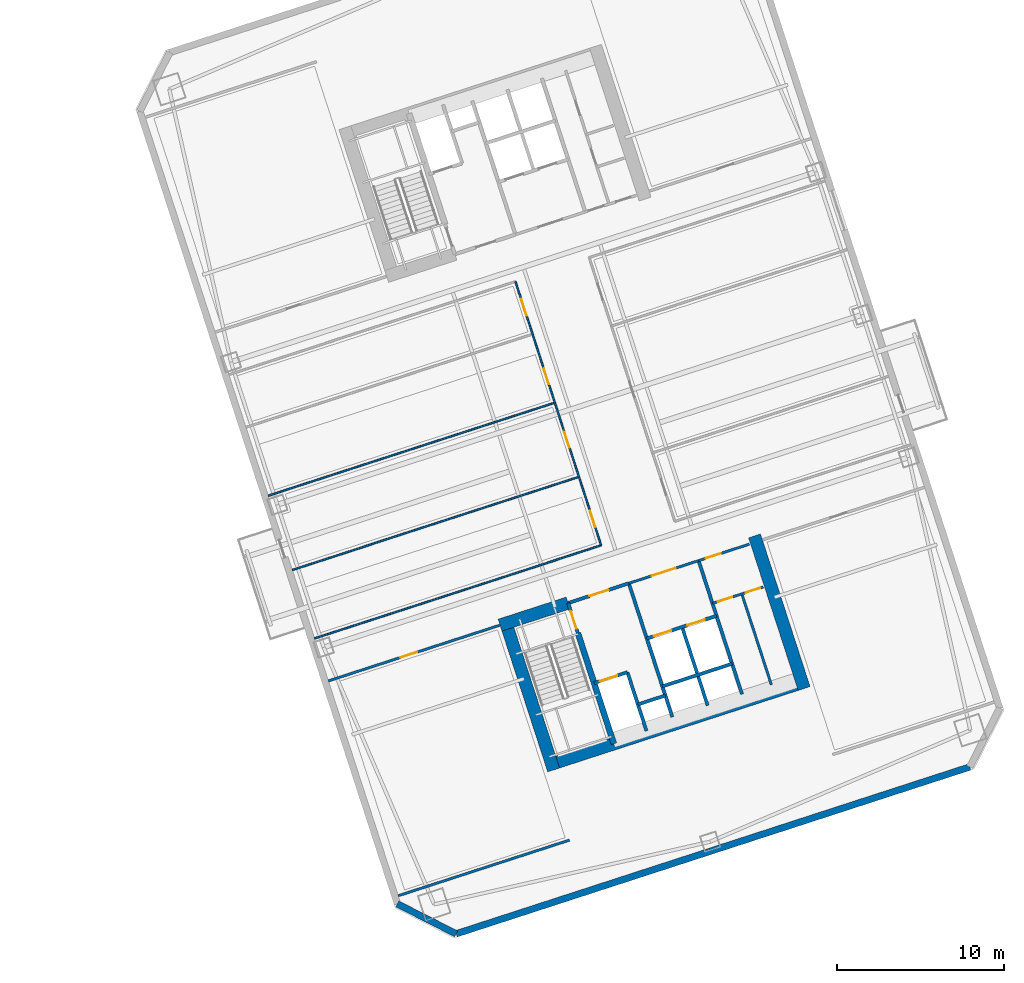
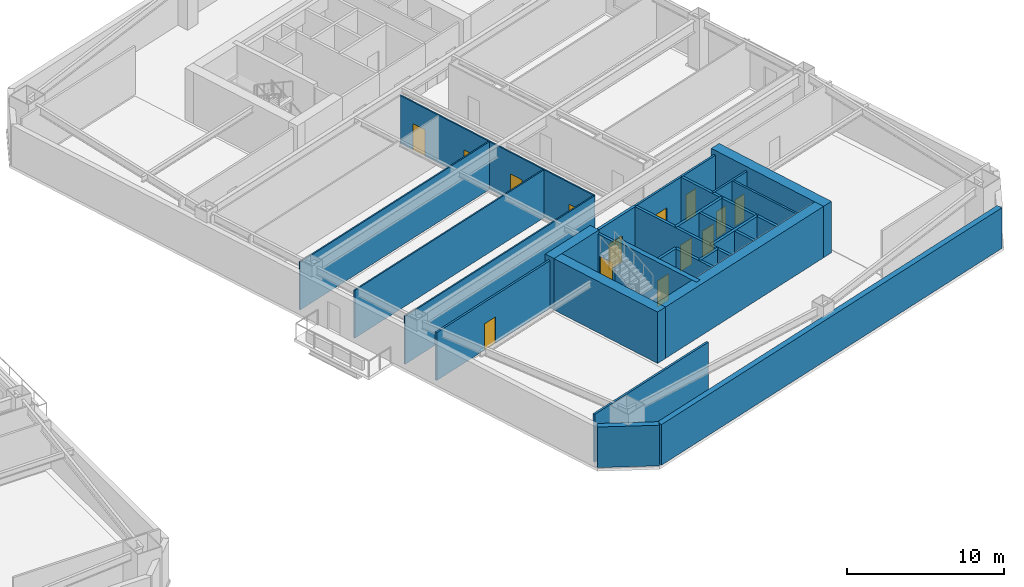
# One storey, part 7 of 18: 27 walls, 14 doors, 14 openings.
"""IFC4 building model written with IfcOpenShell, lengths in metres."""

from ifc_helpers import new_model, si_unit, direction, frame, frame_2d, origin, place, context, subcontext, project, spatial, rectangle, extrude, material, layer, layer_set, type_object, element, fill, save


model = new_model("IFC4")

# Units and contexts
model_context = context("Model", 3, precision=1e-05, world=origin(), true_north=direction((0.0, 1.0)))
body_context = subcontext(model_context, "Body", "Model", "MODEL_VIEW")
ifc_project = project(units=[si_unit("LENGTHUNIT", "METRE"), si_unit("AREAUNIT", "SQUARE_METRE"), si_unit("VOLUMEUNIT", "CUBIC_METRE"), si_unit("PLANEANGLEUNIT", "RADIAN"), si_unit("MASSUNIT", "GRAM", prefix="KILO")], contexts=[model_context])

# Site, building, storey
site_placement = place(None, origin())
site = spatial("IfcSite", under=ifc_project, at=site_placement, CompositionType="ELEMENT")
building_placement = place(site_placement, origin())
building = spatial("IfcBuilding", under=site, at=building_placement, Name="Qiaolan Cultural Towers", CompositionType="ELEMENT")
storey_placement = place(building_placement, frame((0.0, 0.0, 38.0)))
storey = spatial("IfcBuildingStorey", under=building, at=storey_placement, Name="L08", CompositionType="ELEMENT", Elevation=38.0)

# Walls
ifc_material_1 = material(Name="Concrete C50", Category="concrete")
ifc_layer_1 = layer(ifc_material_1, 0.35009765625)
ifc_layer_set_1 = layer_set([ifc_layer_1], Name="Concrete C50")
wall_type_1 = type_object("IfcWallType", Name="WL-CORE-350", PredefinedType="SHEAR", material=ifc_layer_set_1)
wall_1_placement = place(storey_placement, frame((90.486328125, 20.59423828125, 0.0), z_axis=(0.0, 0.0, 1.0), x_axis=(0.309020428229, -0.951055400562, 0.0)))
element("IfcWall", 1, at=wall_1_placement, inside=storey, type_object=wall_type_1, Name="L08 T2-CS Stair Core Dividing Web", PredefinedType="SHEAR", context=body_context, shape_type="SweptSolid", body=[
    extrude(rectangle(XDim=6.97998046875, YDim=0.35009765625, at=frame_2d((3.489990234375, 0.0))), origin(), (0.0, 0.0, 1.0), 4.0),
])
ifc_material_2 = material(Name="Concrete C60", Category="concrete")
ifc_layer_2 = layer(ifc_material_2, 0.75)
ifc_layer_set_2 = layer_set([ifc_layer_2], Name="Concrete C60")
wall_type_2 = type_object("IfcWallType", Name="WL-CORE-750", PredefinedType="SHEAR", material=ifc_layer_set_2)
wall_2_placement = place(storey_placement, frame((88.55859375, 12.628662109375, 0.0), z_axis=(0.0, 0.0, 1.0), x_axis=(0.951056072937, 0.309018358888, 0.0)))
element("IfcWall", 2, at=wall_2_placement, inside=storey, type_object=wall_type_2, Name="L08 T2-CS Outer Core Shear Wall", PredefinedType="SHEAR", context=body_context, shape_type="SweptSolid", body=[
    extrude(rectangle(XDim=16.550048828125, YDim=0.75, at=frame_2d((8.27490234375, 0.0))), origin(), (0.0, 0.0, 1.0), 4.0),
])
wall_3_placement = place(storey_placement, frame((86.05517578125, 21.54638671875, 0.0), z_axis=(0.0, 0.0, 1.0), x_axis=(0.309023585745, -0.951054374604, 0.0)))
element("IfcWall", 3, at=wall_3_placement, inside=storey, type_object=wall_type_2, Name="L08 T2-CS West Core Shear Wall", PredefinedType="SHEAR", context=body_context, shape_type="SweptSolid", body=[
    extrude(rectangle(XDim=9.6298828125, YDim=0.75, at=frame_2d((4.81494140625, 0.0))), origin(), (0.0, 0.0, 1.0), 4.0),
])
wall_4_placement = place(storey_placement, frame((101.08203125, 26.428955078125, 0.0), z_axis=(0.0, 0.0, 1.0), x_axis=(0.309016134813, -0.951056795583, 0.0)))
element("IfcWall", 4, at=wall_4_placement, inside=storey, type_object=wall_type_2, Name="L08 T2-CS East Core Shear Wall", PredefinedType="SHEAR", context=body_context, shape_type="SweptSolid", body=[
    extrude(rectangle(XDim=9.630126953125, YDim=0.75, at=frame_2d((4.81494140625, 0.0))), origin(), (0.0, 0.0, 1.0), 4.0),
])
wall_5_placement = place(storey_placement, frame((85.814453125, 21.073974609375, 0.0), z_axis=(0.0, 0.0, 1.0), x_axis=(0.95106580992, 0.308988390074, 0.0)))
element("IfcWall", 5, at=wall_5_placement, inside=storey, type_object=wall_type_2, Name="L08 T2-CS Stair Front Shear Wall", PredefinedType="SHEAR", context=body_context, shape_type="SweptSolid", body=[
    extrude(rectangle(XDim=4.295166015625, YDim=0.75, at=frame_2d((2.1474609375, 0.0))), origin(), (0.0, 0.0, 1.0), 4.0),
])
ifc_material_3 = material(Name="Precast Concrete C50 Honed Stone Pier", Category="masonry")
ifc_layer_3 = layer(ifc_material_3, 0.39990234375)
ifc_layer_set_3 = layer_set([ifc_layer_3], Name="Precast Concrete C50 Honed Stone Pier")
wall_type_3 = type_object("IfcWallType", Name="WL-EXT-PIER-400", PredefinedType="SOLIDWALL", material=ifc_layer_set_3)
wall_6_placement = place(storey_placement, frame((113.997802734375, 12.566650390625, 0.0), z_axis=(0.0, 0.0, 1.0), x_axis=(-0.951055939317, -0.309018770125, 0.0)))
element("IfcWall", 6, at=wall_6_placement, inside=storey, type_object=wall_type_3, Name="L08 East Tower Precast Pier Facade Wall F7", PredefinedType="SOLIDWALL", context=body_context, shape_type="SweptSolid", body=[
    extrude(rectangle(XDim=32.39990234375, YDim=0.39990234375, at=frame_2d((16.199951171875, 0.0))), origin(), (0.0, 0.0, 1.0), 3.159912109375),
])
wall_7_placement = place(storey_placement, frame((83.18359375, 2.554443359375, 0.0), z_axis=(0.0, 0.0, 1.0), x_axis=(-0.890998089617, 0.454007053137, 0.0)))
element("IfcWall", 7, at=wall_7_placement, inside=storey, type_object=wall_type_3, Name="L08 East Tower Precast Pier Facade Wall F8", PredefinedType="SOLIDWALL", context=body_context, shape_type="SweptSolid", body=[
    extrude(rectangle(XDim=3.9599609375, YDim=0.39990234375, at=frame_2d((1.97998046875, 0.0))), origin(), (0.0, 0.0, 1.0), 3.159912109375),
])

# Wall, opening, door
ifc_material_4 = material(Name="Concrete C35 Fire Wall", Category="concrete")
ifc_layer_4 = layer(ifc_material_4, 0.199951171875)
ifc_layer_set_4 = layer_set([ifc_layer_4], Name="Concrete C35 Fire Wall")
wall_type_4 = type_object("IfcWallType", Name="WL-FIRE-200", PredefinedType="PARTITIONING", material=ifc_layer_set_4)
wall_8_placement = place(storey_placement, frame((89.8994140625, 22.401123046875, 0.0), z_axis=(0.0, 0.0, 1.0), x_axis=(0.308932062672, -0.951084108086, 0.0)))
wall_8 = element("IfcWall", 8, at=wall_8_placement, inside=storey, type_object=wall_type_4, Name="L08 T2-CS Smokeproof Stair Entry Wall", PredefinedType="PARTITIONING", context=body_context, shape_type="SweptSolid", body=[
    extrude(rectangle(XDim=1.89990234375, YDim=0.199951171875, at=frame_2d((0.949951171875, 0.0))), origin(), (0.0, 0.0, 1.0), 3.72509765625),
])
opening_1_placement = place(wall_8_placement, frame((0.52001953125, 0.0, 0.0)))
opening_1 = element("IfcOpeningElement", 9, at=opening_1_placement, cuts=wall_8, Name="Opening FD-04", PredefinedType="OPENING", context=body_context, shape_type="SweptSolid", body=[
    extrude(rectangle(XDim=1.10009765625, YDim=2.050048828125, at=frame_2d((0.550048828125, 1.02490234375))), frame((0.0, 0.10986328125, 0.0), z_axis=(0.0, -1.0, 0.0), x_axis=(1.0, 0.0, 0.0)), (0.0, 0.0, 1.0), 0.219970703125),
])
ifc_material_5 = material(Name="Galvanized Steel Command Fire Door", Category="steel")
door_type_1 = type_object("IfcDoorType", Name="DR-FD90-1100", OperationType="NOTDEFINED", PredefinedType="DOOR", material=ifc_material_5)
door_1_placement = place(opening_1_placement, origin())
door_1 = element("IfcDoor", 10, at=door_1_placement, inside=storey, type_object=door_type_1, Name="L08 ST-E1 Smokeproof Stair Fire Door", OperationType="SINGLE_SWING_LEFT", OverallHeight=2.050048828125, OverallWidth=1.10009765625, PredefinedType="DOOR", context=body_context, shape_type="SweptSolid", body=[
    extrude(rectangle(XDim=1.10009765625, YDim=2.050048828125, at=frame_2d((0.550048828125, 1.02490234375))), frame((0.0, 0.02490234375, 0.0), z_axis=(0.0, -1.0, 0.0), x_axis=(1.0, 0.0, 0.0)), (0.0, 0.0, 1.0), 0.050048828125),
])
fill(opening_1, door_1)

# Wall
wall_9_placement = place(storey_placement, frame((93.541748046875, 23.584716796875, 0.0), z_axis=(0.0, 0.0, 1.0), x_axis=(0.309042196757, -0.951048327176, 0.0)))
element("IfcWall", 11, at=wall_9_placement, inside=storey, type_object=wall_type_4, Name="L08 T2-CS Firefighting Zone Wall", PredefinedType="PARTITIONING", context=body_context, shape_type="SweptSolid", body=[
    extrude(rectangle(XDim=8.429931640625, YDim=0.199951171875, at=frame_2d((4.21484375, 0.0))), origin(), (0.0, 0.0, 1.0), 3.72509765625),
])

# Wall, opening, door
wall_10_placement = place(storey_placement, frame((89.8994140625, 22.401123046875, 0.0), z_axis=(0.0, 0.0, 1.0), x_axis=(0.951046716504, 0.309047153403, 0.0)))
wall_10 = element("IfcWall", 12, at=wall_10_placement, inside=storey, type_object=wall_type_4, Name="L08 T2-CS Firefighting Lobby Front Wall", PredefinedType="PARTITIONING", context=body_context, shape_type="SweptSolid", body=[
    extrude(rectangle(XDim=3.829833984375, YDim=0.199951171875, at=frame_2d((1.9150390625, 0.0))), origin(), (0.0, 0.0, 1.0), 3.72509765625),
])
opening_2_placement = place(wall_10_placement, frame((1.35009765625, 0.0, 0.0)))
opening_2 = element("IfcOpeningElement", 13, at=opening_2_placement, cuts=wall_10, Name="Opening FD-03", PredefinedType="OPENING", context=body_context, shape_type="SweptSolid", body=[
    extrude(rectangle(XDim=1.199951171875, YDim=2.050048828125, at=frame_2d((0.60009765625, 1.02490234375))), frame((0.0, 0.10986328125, 0.0), z_axis=(0.0, -1.0, 0.0), x_axis=(1.0, 0.0, 0.0)), (0.0, 0.0, 1.0), 0.219970703125),
])
ifc_material_6 = material(Name="Galvanized Steel Smokeproof Lobby Fire Door", Category="steel")
door_type_2 = type_object("IfcDoorType", Name="DR-FD90-1200", OperationType="NOTDEFINED", PredefinedType="DOOR", material=ifc_material_6)
door_2_placement = place(opening_2_placement, origin())
door_2 = element("IfcDoor", 14, at=door_2_placement, inside=storey, type_object=door_type_2, Name="L08 FFL-E1 Firefighting Lobby Fire Door", OperationType="SINGLE_SWING_LEFT", OverallHeight=2.050048828125, OverallWidth=1.199951171875, PredefinedType="DOOR", context=body_context, shape_type="SweptSolid", body=[
    extrude(rectangle(XDim=1.199951171875, YDim=2.050048828125, at=frame_2d((0.60009765625, 1.02490234375))), frame((0.0, 0.02490234375, 0.0), z_axis=(0.0, -1.0, 0.0), x_axis=(1.0, 0.0, 0.0)), (0.0, 0.0, 1.0), 0.050048828125),
])
fill(opening_2, door_2)

wall_11_placement = place(storey_placement, frame((91.459716796875, 17.598388671875, 0.0), z_axis=(0.0, 0.0, 1.0), x_axis=(0.951062257173, 0.308999325213, 0.0)))
wall_11 = element("IfcWall", 15, at=wall_11_placement, inside=storey, type_object=wall_type_4, Name="L08 T2-CS Firefighting Shaft Front Wall", PredefinedType="PARTITIONING", context=body_context, shape_type="SweptSolid", body=[
    extrude(rectangle(XDim=2.10009765625, YDim=0.199951171875, at=frame_2d((1.050048828125, 0.0))), origin(), (0.0, 0.0, 1.0), 3.72509765625),
])
opening_3_placement = place(wall_11_placement, frame((0.35009765625, 0.0, 0.0)))
opening_3 = element("IfcOpeningElement", 16, at=opening_3_placement, cuts=wall_11, Name="Opening LD-01", PredefinedType="OPENING", context=body_context, shape_type="SweptSolid", body=[
    extrude(rectangle(XDim=1.10009765625, YDim=2.050048828125, at=frame_2d((0.550048828125, 1.02490234375))), frame((0.0, 0.10986328125, 0.0), z_axis=(0.0, -1.0, 0.0), x_axis=(1.0, 0.0, 0.0)), (0.0, 0.0, 1.0), 0.219970703125),
])
ifc_material_7 = material(Name="Brushed Stainless Steel S30408 Centre-Parting Lift Landing Door", Category="steel")
door_type_3 = type_object("IfcDoorType", Name="DR-LIFT-1100", OperationType="NOTDEFINED", PredefinedType="DOOR", material=ifc_material_7)
door_3_placement = place(opening_3_placement, origin())
door_3 = element("IfcDoor", 17, at=door_3_placement, inside=storey, type_object=door_type_3, Name="L08 FFL-E1 Firefighting Lift Landing Door", OperationType="DOUBLE_DOOR_SLIDING", OverallHeight=2.050048828125, OverallWidth=1.10009765625, PredefinedType="DOOR", context=body_context, shape_type="SweptSolid", body=[
    extrude(rectangle(XDim=1.10009765625, YDim=2.050048828125, at=frame_2d((0.550048828125, 1.02490234375))), frame((0.0, 0.02490234375, 0.0), z_axis=(0.0, -1.0, 0.0), x_axis=(1.0, 0.0, 0.0)), (0.0, 0.0, 1.0), 0.050048828125),
])
fill(opening_3, door_3)

# Walls
wall_12_placement = place(storey_placement, frame((93.45703125, 18.247314453125, 0.0), z_axis=(0.0, 0.0, 1.0), x_axis=(0.3089935693, -0.951064127245, 0.0)))
element("IfcWall", 18, at=wall_12_placement, inside=storey, type_object=wall_type_4, Name="L08 T2-CS Firefighting Hoistway East Wall", PredefinedType="PARTITIONING", context=body_context, shape_type="SweptSolid", body=[
    extrude(rectangle(XDim=3.7001953125, YDim=0.199951171875, at=frame_2d((1.85009765625, 0.0))), origin(), (0.0, 0.0, 1.0), 3.72509765625),
])
wall_13_placement = place(storey_placement, frame((94.08447265625, 16.316650390625, 0.0), z_axis=(0.0, 0.0, 1.0), x_axis=(0.951041328149, 0.309063734775, 0.0)))
element("IfcWall", 19, at=wall_13_placement, inside=storey, type_object=wall_type_4, Name="L08 T2-CS Pressurization Shaft Front Wall", PredefinedType="PARTITIONING", context=body_context, shape_type="SweptSolid", body=[
    extrude(rectangle(XDim=1.72998046875, YDim=0.199951171875, at=frame_2d((0.864990234375, 0.0))), origin(), (0.0, 0.0, 1.0), 3.72509765625),
])
wall_14_placement = place(storey_placement, frame((97.7265625, 24.9443359375, 0.0), z_axis=(0.0, 0.0, 1.0), x_axis=(0.309016001439, -0.951056838919, 0.0)))
element("IfcWall", 20, at=wall_14_placement, inside=storey, type_object=wall_type_4, Name="L08 T2-CS Lift Core East Wall", PredefinedType="PARTITIONING", context=body_context, shape_type="SweptSolid", body=[
    extrude(rectangle(XDim=8.429931640625, YDim=0.199951171875, at=frame_2d((4.21484375, 0.0))), origin(), (0.0, 0.0, 1.0), 3.72509765625),
])

# Wall, openings, doors
wall_15_placement = place(storey_placement, frame((94.6171875, 20.275146484375, 0.0), z_axis=(0.0, 0.0, 1.0), x_axis=(0.951058531764, 0.30901079133, 0.0)))
wall_15 = element("IfcWall", 21, at=wall_15_placement, inside=storey, type_object=wall_type_4, Name="L08 T2-CS Passenger Lift Shaft Front Wall", PredefinedType="PARTITIONING", context=body_context, shape_type="SweptSolid", body=[
    extrude(rectangle(XDim=4.39990234375, YDim=0.199951171875, at=frame_2d((2.199951171875, 0.0))), origin(), (0.0, 0.0, 1.0), 3.72509765625),
])
opening_4_placement = place(wall_15_placement, frame((0.449951171875, 0.0, 0.0)))
opening_4 = element("IfcOpeningElement", 22, at=opening_4_placement, cuts=wall_15, Name="Opening LD-01", PredefinedType="OPENING", context=body_context, shape_type="SweptSolid", body=[
    extrude(rectangle(XDim=1.10009765625, YDim=2.050048828125, at=frame_2d((0.550048828125, 1.02490234375))), frame((0.0, 0.10986328125, 0.0), z_axis=(0.0, -1.0, 0.0), x_axis=(1.0, 0.0, 0.0)), (0.0, 0.0, 1.0), 0.219970703125),
])
opening_5_placement = place(wall_15_placement, frame((2.550048828125, 0.0, 0.0)))
opening_5 = element("IfcOpeningElement", 23, at=opening_5_placement, cuts=wall_15, Name="Opening LD-01", PredefinedType="OPENING", context=body_context, shape_type="SweptSolid", body=[
    extrude(rectangle(XDim=1.10009765625, YDim=2.050048828125, at=frame_2d((0.550048828125, 1.02490234375))), frame((0.0, 0.10986328125, 0.0), z_axis=(0.0, -1.0, 0.0), x_axis=(1.0, 0.0, 0.0)), (0.0, 0.0, 1.0), 0.219970703125),
])
door_4_placement = place(opening_4_placement, origin())
door_4 = element("IfcDoor", 24, at=door_4_placement, inside=storey, type_object=door_type_3, Name="L08 Passenger Lift 1 Landing Door", OperationType="DOUBLE_DOOR_SLIDING", OverallHeight=2.050048828125, OverallWidth=1.10009765625, PredefinedType="DOOR", context=body_context, shape_type="SweptSolid", body=[
    extrude(rectangle(XDim=1.10009765625, YDim=2.050048828125, at=frame_2d((0.550048828125, 1.02490234375))), frame((0.0, 0.02490234375, 0.0), z_axis=(0.0, -1.0, 0.0), x_axis=(1.0, 0.0, 0.0)), (0.0, 0.0, 1.0), 0.050048828125),
])
fill(opening_4, door_4)
door_5_placement = place(opening_5_placement, origin())
door_5 = element("IfcDoor", 25, at=door_5_placement, inside=storey, type_object=door_type_3, Name="L08 Passenger Lift 2 Landing Door", OperationType="DOUBLE_DOOR_SLIDING", OverallHeight=2.050048828125, OverallWidth=1.10009765625, PredefinedType="DOOR", context=body_context, shape_type="SweptSolid", body=[
    extrude(rectangle(XDim=1.10009765625, YDim=2.050048828125, at=frame_2d((0.550048828125, 1.02490234375))), frame((0.0, 0.02490234375, 0.0), z_axis=(0.0, -1.0, 0.0), x_axis=(1.0, 0.0, 0.0)), (0.0, 0.0, 1.0), 0.050048828125),
])
fill(opening_5, door_5)

# Walls
wall_16_placement = place(storey_placement, frame((96.738037109375, 20.964111328125, 0.0), z_axis=(0.0, 0.0, 1.0), x_axis=(0.309042578481, -0.951048203135, 0.0)))
element("IfcWall", 26, at=wall_16_placement, inside=storey, type_object=wall_type_4, Name="L08 T2-CS Lift Shaft Divider Wall", PredefinedType="PARTITIONING", context=body_context, shape_type="SweptSolid", body=[
    extrude(rectangle(XDim=4.9501953125, YDim=0.199951171875, at=frame_2d((2.47509765625, 0.0))), origin(), (0.0, 0.0, 1.0), 3.72509765625),
])
wall_17_placement = place(storey_placement, frame((95.550537109375, 17.40283203125, 0.0), z_axis=(0.0, 0.0, 1.0), x_axis=(0.951058531764, 0.30901079133, 0.0)))
element("IfcWall", 27, at=wall_17_placement, inside=storey, type_object=wall_type_4, Name="L08 T2-CS Passenger Lift Shaft Back Wall", PredefinedType="PARTITIONING", context=body_context, shape_type="SweptSolid", body=[
    extrude(rectangle(XDim=4.39990234375, YDim=0.199951171875, at=frame_2d((2.199951171875, 0.0))), origin(), (0.0, 0.0, 1.0), 3.72509765625),
])
ifc_material_8 = material(Name="Acoustic Double-Glazed Partition Frame", Category="glass")
ifc_layer_5 = layer(ifc_material_8, 0.10009765625)
ifc_layer_set_5 = layer_set([ifc_layer_5], Name="Acoustic Double-Glazed Partition Frame")
wall_type_5 = type_object("IfcWallType", Name="WL-GLAZED-100", PredefinedType="MOVABLE", material=ifc_layer_set_5)
wall_18_placement = place(storey_placement, frame((74.691162109375, 20.277587890625, 0.0), z_axis=(0.0, 0.0, 1.0), x_axis=(0.951053521786, 0.309026210375, 0.0)))
element("IfcWall", 28, at=wall_18_placement, inside=storey, type_object=wall_type_5, Name="L08 T2 South Corridor Left Wall", PredefinedType="MOVABLE", context=body_context, shape_type="SweptSolid", body=[
    extrude(rectangle(XDim=18.0751953125, YDim=0.10009765625, at=frame_2d((9.03759765625, 0.0))), origin(), (0.0, 0.0, 1.0), 3.72509765625),
])

# Wall, openings, doors
wall_19_placement = place(storey_placement, frame((91.881591796875, 25.86328125, 0.0), z_axis=(0.0, 0.0, 1.0), x_axis=(-0.309022042254, 0.951054876125, 0.0)))
wall_19 = element("IfcWall", 29, at=wall_19_placement, inside=storey, type_object=wall_type_5, Name="L08 T2 West Spine Wall", PredefinedType="MOVABLE", context=body_context, shape_type="SweptSolid", body=[
    extrude(rectangle(XDim=16.639892578125, YDim=0.10009765625, at=frame_2d((8.31982421875, 0.0))), origin(), (0.0, 0.0, 1.0), 3.72509765625),
])
opening_6_placement = place(wall_19_placement, frame((1.159912109375, 0.0, 0.0)))
opening_6 = element("IfcOpeningElement", 30, at=opening_6_placement, cuts=wall_19, Name="Opening ID-04", PredefinedType="OPENING", context=body_context, shape_type="SweptSolid", body=[
    extrude(rectangle(XDim=1.0, YDim=2.050048828125, at=frame_2d((0.5, 1.02490234375))), frame((0.0, 0.06005859375, 0.0), z_axis=(0.0, -1.0, 0.0), x_axis=(1.0, 0.0, 0.0)), (0.0, 0.0, 1.0), 0.1201171875),
])
opening_7_placement = place(wall_19_placement, frame((6.159912109375, 0.0, 0.0)))
opening_7 = element("IfcOpeningElement", 31, at=opening_7_placement, cuts=wall_19, Name="Opening ID-04", PredefinedType="OPENING", context=body_context, shape_type="SweptSolid", body=[
    extrude(rectangle(XDim=1.0, YDim=2.050048828125, at=frame_2d((0.5, 1.02490234375))), frame((0.0, 0.06005859375, 0.0), z_axis=(0.0, -1.0, 0.0), x_axis=(1.0, 0.0, 0.0)), (0.0, 0.0, 1.0), 0.1201171875),
])
opening_8_placement = place(wall_19_placement, frame((10.159912109375, 0.0, 0.0)))
opening_8 = element("IfcOpeningElement", 32, at=opening_8_placement, cuts=wall_19, Name="Opening ID-04", PredefinedType="OPENING", context=body_context, shape_type="SweptSolid", body=[
    extrude(rectangle(XDim=1.0, YDim=2.050048828125, at=frame_2d((0.5, 1.02490234375))), frame((0.0, 0.06005859375, 0.0), z_axis=(0.0, -1.0, 0.0), x_axis=(1.0, 0.0, 0.0)), (0.0, 0.0, 1.0), 0.1201171875),
])
opening_9_placement = place(wall_19_placement, frame((14.47998046875, 0.0, 0.0)))
opening_9 = element("IfcOpeningElement", 33, at=opening_9_placement, cuts=wall_19, Name="Opening ID-07", PredefinedType="OPENING", context=body_context, shape_type="SweptSolid", body=[
    extrude(rectangle(XDim=1.050048828125, YDim=2.050048828125, at=frame_2d((0.52490234375, 1.02490234375))), frame((0.0, 0.06005859375, 0.0), z_axis=(0.0, -1.0, 0.0), x_axis=(1.0, 0.0, 0.0)), (0.0, 0.0, 1.0), 0.1201171875),
])
ifc_material_9 = material(Name="Oak Veneer Acoustic Office Door", Category="timber")
door_type_4 = type_object("IfcDoorType", Name="DR-INT-1000", OperationType="NOTDEFINED", PredefinedType="DOOR", material=ifc_material_9)
door_6_placement = place(opening_6_placement, origin())
door_6 = element("IfcDoor", 34, at=door_6_placement, inside=storey, type_object=door_type_4, Name="L08 T2 Project Briefing Room Door", OperationType="SINGLE_SWING_LEFT", OverallHeight=2.050048828125, OverallWidth=1.0, PredefinedType="DOOR", context=body_context, shape_type="SweptSolid", body=[
    extrude(rectangle(XDim=1.0, YDim=2.050048828125, at=frame_2d((0.5, 1.02490234375))), frame((0.0, 0.02490234375, 0.0), z_axis=(0.0, -1.0, 0.0), x_axis=(1.0, 0.0, 0.0)), (0.0, 0.0, 1.0), 0.050048828125),
])
fill(opening_6, door_6)
door_7_placement = place(opening_7_placement, origin())
door_7 = element("IfcDoor", 35, at=door_7_placement, inside=storey, type_object=door_type_4, Name="L08 T2 Curatorial Research Office Door", OperationType="SINGLE_SWING_LEFT", OverallHeight=2.050048828125, OverallWidth=1.0, PredefinedType="DOOR", context=body_context, shape_type="SweptSolid", body=[
    extrude(rectangle(XDim=1.0, YDim=2.050048828125, at=frame_2d((0.5, 1.02490234375))), frame((0.0, 0.02490234375, 0.0), z_axis=(0.0, -1.0, 0.0), x_axis=(1.0, 0.0, 0.0)), (0.0, 0.0, 1.0), 0.050048828125),
])
fill(opening_7, door_7)
door_8_placement = place(opening_8_placement, origin())
door_8 = element("IfcDoor", 36, at=door_8_placement, inside=storey, type_object=door_type_4, Name="L08 T2 Wellness Consultation Room Door", OperationType="SINGLE_SWING_RIGHT", OverallHeight=2.050048828125, OverallWidth=1.0, PredefinedType="DOOR", context=body_context, shape_type="SweptSolid", body=[
    extrude(rectangle(XDim=1.0, YDim=2.050048828125, at=frame_2d((0.5, 1.02490234375))), frame((0.0, 0.02490234375, 0.0), z_axis=(0.0, -1.0, 0.0), x_axis=(1.0, 0.0, 0.0)), (0.0, 0.0, 1.0), 0.050048828125),
])
fill(opening_8, door_8)
ifc_material_10 = material(Name="Oak Veneer Consultation Door", Category="timber")
door_type_5 = type_object("IfcDoorType", Name="DR-INT-1050", OperationType="NOTDEFINED", PredefinedType="DOOR", material=ifc_material_10)
door_9_placement = place(opening_9_placement, origin())
door_9 = element("IfcDoor", 37, at=door_9_placement, inside=storey, type_object=door_type_5, Name="L08 T2 Staff Lounge Door", OperationType="SINGLE_SWING_RIGHT", OverallHeight=2.050048828125, OverallWidth=1.050048828125, PredefinedType="DOOR", context=body_context, shape_type="SweptSolid", body=[
    extrude(rectangle(XDim=1.050048828125, YDim=2.050048828125, at=frame_2d((0.52490234375, 1.02490234375))), frame((0.0, 0.02490234375, 0.0), z_axis=(0.0, -1.0, 0.0), x_axis=(1.0, 0.0, 0.0)), (0.0, 0.0, 1.0), 0.050048828125),
])
fill(opening_9, door_9)

# Walls
for number, where, z_axis, x_axis, name in (
    (38, (73.356201171875, 24.38623046875, 0.0), (0.0, 0.0, 1.0), (0.951057491432, 0.309013993197, 0.0), "L08 T2 West Partition 2"),
    (39, (71.909912109375, 28.837158203125, 0.0), (0.0, 0.0, 1.0), (0.951057491432, 0.309013993197, 0.0), "L08 T2 West Partition 3"),
):
    element("IfcWall", number, at=place(storey_placement, frame(where, z_axis=z_axis, x_axis=x_axis)), inside=storey, type_object=wall_type_5, Name=name, PredefinedType="MOVABLE", context=body_context, shape_type="SweptSolid", body=[
        extrude(rectangle(XDim=18.074951171875, YDim=0.10009765625, at=frame_2d((9.03759765625, 0.0))), origin(), (0.0, 0.0, 1.0), 3.72509765625),
    ])

# Wall, opening, door
ifc_material_11 = material(Name="Autoclaved Aerated Concrete Block B06", Category="concrete")
ifc_layer_6 = layer(ifc_material_11, 0.14990234375)
ifc_layer_set_6 = layer_set([ifc_layer_6], Name="Autoclaved Aerated Concrete Block B06")
wall_type_6 = type_object("IfcWallType", Name="WL-PART-150", PredefinedType="PARTITIONING", material=ifc_layer_set_6)
wall_20_placement = place(storey_placement, frame((93.541748046875, 23.584716796875, 0.0), z_axis=(0.0, 0.0, 1.0), x_axis=(0.951063829732, 0.308994485023, 0.0)))
wall_20 = element("IfcWall", 40, at=wall_20_placement, inside=storey, type_object=wall_type_6, Name="L08 T2-CS Passenger Lift Lobby Front Wall", PredefinedType="PARTITIONING", context=body_context, shape_type="SweptSolid", body=[
    extrude(rectangle(XDim=4.400146484375, YDim=0.14990234375, at=frame_2d((2.2001953125, 0.0))), origin(), (0.0, 0.0, 1.0), 3.72509765625),
])
opening_10_placement = place(wall_20_placement, frame((1.449951171875, 0.0, 0.0)))
opening_10 = element("IfcOpeningElement", 41, at=opening_10_placement, cuts=wall_20, Name="Opening FD-05", PredefinedType="OPENING", context=body_context, shape_type="SweptSolid", body=[
    extrude(rectangle(XDim=1.5, YDim=2.050048828125, at=frame_2d((0.75, 1.02490234375))), frame((0.0, 0.0849609375, 0.0), z_axis=(0.0, -1.0, 0.0), x_axis=(1.0, 0.0, 0.0)), (0.0, 0.0, 1.0), 0.169921875),
])
ifc_material_12 = material(Name="Painted Steel Lift Lobby Fire Door", Category="steel")
door_type_6 = type_object("IfcDoorType", Name="DR-FD60-1500", OperationType="NOTDEFINED", PredefinedType="DOOR", material=ifc_material_12)
door_10_placement = place(opening_10_placement, origin())
door_10 = element("IfcDoor", 42, at=door_10_placement, inside=storey, type_object=door_type_6, Name="L08 Passenger Lift Lobby Entrance", OperationType="SINGLE_SWING_LEFT", OverallHeight=2.050048828125, OverallWidth=1.5, PredefinedType="DOOR", context=body_context, shape_type="SweptSolid", body=[
    extrude(rectangle(XDim=1.5, YDim=2.050048828125, at=frame_2d((0.75, 1.02490234375))), frame((0.0, 0.02490234375, 0.0), z_axis=(0.0, -1.0, 0.0), x_axis=(1.0, 0.0, 0.0)), (0.0, 0.0, 1.0), 0.050048828125),
])
fill(opening_10, door_10)

wall_21_placement = place(storey_placement, frame((97.7265625, 24.9443359375, 0.0), z_axis=(0.0, 0.0, 1.0), x_axis=(0.951036872128, 0.309077446369, 0.0)))
wall_21 = element("IfcWall", 43, at=wall_21_placement, inside=storey, type_object=wall_type_6, Name="L08 T2-CS Sanitary Core Front Wall", PredefinedType="PARTITIONING", context=body_context, shape_type="SweptSolid", body=[
    extrude(rectangle(XDim=3.199951171875, YDim=0.14990234375, at=frame_2d((1.60009765625, 0.0))), origin(), (0.0, 0.0, 1.0), 3.72509765625),
])
opening_11_placement = place(wall_21_placement, frame((0.449951171875, 0.0, 0.0)))
opening_11 = element("IfcOpeningElement", 44, at=opening_11_placement, cuts=wall_21, Name="Opening ID-05", PredefinedType="OPENING", context=body_context, shape_type="SweptSolid", body=[
    extrude(rectangle(XDim=0.949951171875, YDim=2.050048828125, at=frame_2d((0.47509765625, 1.02490234375))), frame((0.0, 0.0849609375, 0.0), z_axis=(0.0, -1.0, 0.0), x_axis=(1.0, 0.0, 0.0)), (0.0, 0.0, 1.0), 0.169921875),
])
ifc_material_13 = material(Name="Fire-Rated Laminate Accessible Core Door", Category="timber")
door_type_7 = type_object("IfcDoorType", Name="DR-INT-950", OperationType="NOTDEFINED", PredefinedType="DOOR", material=ifc_material_13)
door_11_placement = place(opening_11_placement, origin())
door_11 = element("IfcDoor", 45, at=door_11_placement, inside=storey, type_object=door_type_7, Name="L08 Sanitary Vestibule Door", OperationType="SINGLE_SWING_LEFT", OverallHeight=2.050048828125, OverallWidth=0.949951171875, PredefinedType="DOOR", context=body_context, shape_type="SweptSolid", body=[
    extrude(rectangle(XDim=0.949951171875, YDim=2.050048828125, at=frame_2d((0.47509765625, 1.02490234375))), frame((0.0, 0.02490234375, 0.0), z_axis=(0.0, -1.0, 0.0), x_axis=(1.0, 0.0, 0.0)), (0.0, 0.0, 1.0), 0.050048828125),
])
fill(opening_11, door_11)

# Wall, openings, doors
wall_22_placement = place(storey_placement, frame((98.560791015625, 22.37646484375, 0.0), z_axis=(0.0, 0.0, 1.0), x_axis=(0.95104415986, 0.309055020985, 0.0)))
wall_22 = element("IfcWall", 46, at=wall_22_placement, inside=storey, type_object=wall_type_6, Name="L08 T2-CS Restroom Vestibule Wall", PredefinedType="PARTITIONING", context=body_context, shape_type="SweptSolid", body=[
    extrude(rectangle(XDim=3.2001953125, YDim=0.14990234375, at=frame_2d((1.60009765625, 0.0))), origin(), (0.0, 0.0, 1.0), 3.72509765625),
])
opening_12_placement = place(wall_22_placement, frame((0.35009765625, 0.0, 0.0)))
opening_12 = element("IfcOpeningElement", 47, at=opening_12_placement, cuts=wall_22, Name="Opening ID-06", PredefinedType="OPENING", context=body_context, shape_type="SweptSolid", body=[
    extrude(rectangle(XDim=0.89990234375, YDim=2.050048828125, at=frame_2d((0.449951171875, 1.02490234375))), frame((0.0, 0.0849609375, 0.0), z_axis=(0.0, -1.0, 0.0), x_axis=(1.0, 0.0, 0.0)), (0.0, 0.0, 1.0), 0.169921875),
])
opening_13_placement = place(wall_22_placement, frame((2.10009765625, 0.0, 0.0)))
opening_13 = element("IfcOpeningElement", 48, at=opening_13_placement, cuts=wall_22, Name="Opening ID-06", PredefinedType="OPENING", context=body_context, shape_type="SweptSolid", body=[
    extrude(rectangle(XDim=0.89990234375, YDim=2.050048828125, at=frame_2d((0.449951171875, 1.02490234375))), frame((0.0, 0.0849609375, 0.0), z_axis=(0.0, -1.0, 0.0), x_axis=(1.0, 0.0, 0.0)), (0.0, 0.0, 1.0), 0.169921875),
])
ifc_material_14 = material(Name="Fire-Rated Laminate Core Service Door", Category="timber")
door_type_8 = type_object("IfcDoorType", Name="DR-INT-900", OperationType="NOTDEFINED", PredefinedType="DOOR", material=ifc_material_14)
door_12_placement = place(opening_12_placement, origin())
door_12 = element("IfcDoor", 49, at=door_12_placement, inside=storey, type_object=door_type_8, Name="L08 Men Restroom Door", OperationType="SINGLE_SWING_LEFT", OverallHeight=2.050048828125, OverallWidth=0.89990234375, PredefinedType="DOOR", context=body_context, shape_type="SweptSolid", body=[
    extrude(rectangle(XDim=0.89990234375, YDim=2.050048828125, at=frame_2d((0.449951171875, 1.02490234375))), frame((0.0, 0.02490234375, 0.0), z_axis=(0.0, -1.0, 0.0), x_axis=(1.0, 0.0, 0.0)), (0.0, 0.0, 1.0), 0.050048828125),
])
fill(opening_12, door_12)
door_13_placement = place(opening_13_placement, origin())
door_13 = element("IfcDoor", 50, at=door_13_placement, inside=storey, type_object=door_type_8, Name="L08 Accessible & Women Restroom Door", OperationType="SINGLE_SWING_RIGHT", OverallHeight=2.050048828125, OverallWidth=0.89990234375, PredefinedType="DOOR", context=body_context, shape_type="SweptSolid", body=[
    extrude(rectangle(XDim=0.89990234375, YDim=2.050048828125, at=frame_2d((0.449951171875, 1.02490234375))), frame((0.0, 0.02490234375, 0.0), z_axis=(0.0, -1.0, 0.0), x_axis=(1.0, 0.0, 0.0)), (0.0, 0.0, 1.0), 0.050048828125),
])
fill(opening_13, door_13)

# Walls
wall_23_placement = place(storey_placement, frame((100.3203125, 22.9482421875, 0.0), z_axis=(0.0, 0.0, 1.0), x_axis=(0.309035009867, -0.951050662518, 0.0)))
element("IfcWall", 51, at=wall_23_placement, inside=storey, type_object=wall_type_6, Name="L08 T2-CS Restroom Divider Wall", PredefinedType="PARTITIONING", context=body_context, shape_type="SweptSolid", body=[
    extrude(rectangle(XDim=5.72998046875, YDim=0.14990234375, at=frame_2d((2.864990234375, 0.0))), origin(), (0.0, 0.0, 1.0), 3.72509765625),
])
wall_24_placement = place(storey_placement, frame((79.70654296875, 4.842041015625, 0.0), z_axis=(0.0, 0.0, 1.0), x_axis=(0.951056658866, 0.309016555588, 0.0)))
element("IfcWall", 52, at=wall_24_placement, inside=storey, type_object=wall_type_6, Name="L08 T2 Flank Wall FLK-SW", PredefinedType="PARTITIONING", context=body_context, shape_type="SweptSolid", body=[
    extrude(rectangle(XDim=10.800048828125, YDim=0.14990234375, at=frame_2d((5.39990234375, 0.0))), origin(), (0.0, 0.0, 1.0), 3.72509765625),
])

# Wall, opening, door
wall_25_placement = place(storey_placement, frame((75.519287109375, 17.728759765625, 0.0), z_axis=(0.0, 0.0, 1.0), x_axis=(0.951056658866, 0.309016555588, 0.0)))
wall_25 = element("IfcWall", 53, at=wall_25_placement, inside=storey, type_object=wall_type_6, Name="L08 T2 Flank Front FLK-SW", PredefinedType="PARTITIONING", context=body_context, shape_type="SweptSolid", body=[
    extrude(rectangle(XDim=10.800048828125, YDim=0.14990234375, at=frame_2d((5.39990234375, 0.0))), origin(), (0.0, 0.0, 1.0), 3.72509765625),
])
opening_14_placement = place(wall_25_placement, frame((4.535888671875, 0.0, 0.0)))
opening_14 = element("IfcOpeningElement", 54, at=opening_14_placement, cuts=wall_25, Name="Opening ID-07", PredefinedType="OPENING", context=body_context, shape_type="SweptSolid", body=[
    extrude(rectangle(XDim=1.050048828125, YDim=2.050048828125, at=frame_2d((0.52490234375, 1.02490234375))), frame((0.0, 0.0849609375, 0.0), z_axis=(0.0, -1.0, 0.0), x_axis=(1.0, 0.0, 0.0)), (0.0, 0.0, 1.0), 0.169921875),
])
door_14_placement = place(opening_14_placement, origin())
door_14 = element("IfcDoor", 55, at=door_14_placement, inside=storey, type_object=door_type_5, Name="L08 T2 Corner Studio Door", OperationType="SINGLE_SWING_LEFT", OverallHeight=2.050048828125, OverallWidth=1.050048828125, PredefinedType="DOOR", context=body_context, shape_type="SweptSolid", body=[
    extrude(rectangle(XDim=1.050048828125, YDim=2.050048828125, at=frame_2d((0.52490234375, 1.02490234375))), frame((0.0, 0.02490234375, 0.0), z_axis=(0.0, -1.0, 0.0), x_axis=(1.0, 0.0, 0.0)), (0.0, 0.0, 1.0), 0.050048828125),
])
fill(opening_14, door_14)

save(model, "model.ifc")
